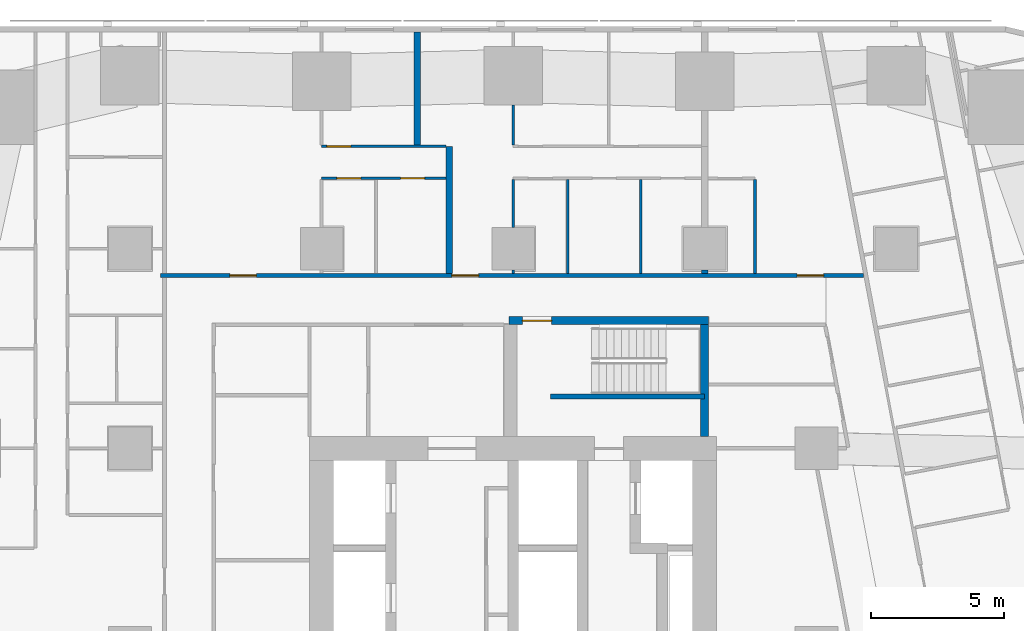
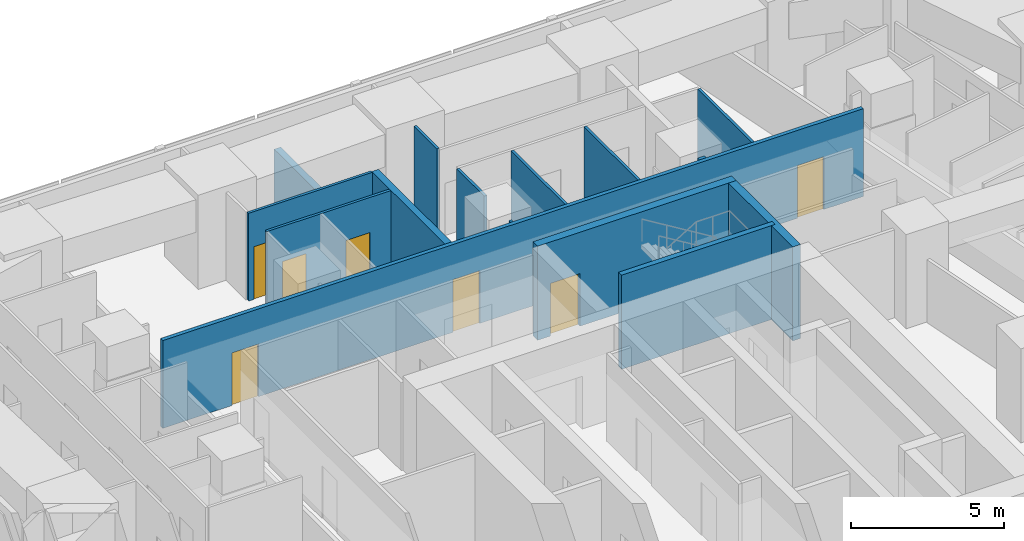
# One storey, part 10 of 17: 15 walls, 7 doors, 7 openings.
"""IFC4 building model written with IfcOpenShell, lengths in metres."""

from ifc_helpers import new_model, si_unit, direction, frame, frame_2d, origin, place, context, subcontext, project, spatial, rectangle, extrude, material, layer, layer_set, type_object, element, fill, save


model = new_model("IFC4")

# Units and contexts
model_context = context("Model", 3, precision=1e-05, world=origin(), true_north=direction((0.0, 1.0)))
body_context = subcontext(model_context, "Body", "Model", "MODEL_VIEW")
ifc_project = project(units=[si_unit("LENGTHUNIT", "METRE"), si_unit("AREAUNIT", "SQUARE_METRE"), si_unit("VOLUMEUNIT", "CUBIC_METRE"), si_unit("PLANEANGLEUNIT", "RADIAN"), si_unit("MASSUNIT", "GRAM", prefix="KILO")], contexts=[model_context])

# Site, building, storey
site_placement = place(None, origin())
site = spatial("IfcSite", under=ifc_project, at=site_placement, CompositionType="ELEMENT")
building_placement = place(site_placement, origin())
building = spatial("IfcBuilding", under=site, at=building_placement, Name="Sheger Commons Tower", CompositionType="ELEMENT")
storey_placement = place(building_placement, frame((0.0, 0.0, 115.39990234375)))
storey = spatial("IfcBuildingStorey", under=building, at=storey_placement, Name="L29", CompositionType="ELEMENT", Elevation=115.39990234375)

# Wall, openings, doors
ifc_material_1 = material(Name="Hollow concrete block masonry, skimmed both sides", Category="masonry")
ifc_layer_1 = layer(ifc_material_1, 0.14990234375)
ifc_layer_set_1 = layer_set([ifc_layer_1], Name="CORRIDOR WALL 150")
wall_type_1 = type_object("IfcWallType", Name="CORRIDOR WALL 150", PredefinedType="SOLIDWALL", material=ifc_layer_set_1)
wall_1_placement = place(storey_placement, frame((8.35009765625, 36.5, 0.0), z_axis=(0.0, 0.0, 1.0), x_axis=(1.0, 0.0, 0.0)))
wall_1 = element("IfcWall", 1, at=wall_1_placement, inside=storey, type_object=wall_type_1, Name="Corridor wall L29", PredefinedType="SOLIDWALL", context=body_context, shape_type="SweptSolid", body=[
    extrude(rectangle(XDim=26.414794921875, YDim=0.14990234375, at=frame_2d((13.20751953125, 0.0))), origin(), (0.0, 0.0, 1.0), 3.5),
])
opening_1_placement = place(wall_1_placement, frame((2.60009765625, 0.0, 0.0)))
opening_1 = element("IfcOpeningElement", 2, at=opening_1_placement, cuts=wall_1, Name="Opening D1", PredefinedType="OPENING", context=body_context, shape_type="SweptSolid", body=[
    extrude(rectangle(XDim=1.0, YDim=2.10009765625, at=frame_2d((0.5, 1.050048828125))), frame((0.0, 0.0849609375, 0.0), z_axis=(0.0, -1.0, 0.0), x_axis=(1.0, 0.0, 0.0)), (0.0, 0.0, 1.0), 0.169921875),
])
opening_2_placement = place(wall_1_placement, frame((10.948974609375, 0.0, 0.0)))
opening_2 = element("IfcOpeningElement", 3, at=opening_2_placement, cuts=wall_1, Name="Opening D1", PredefinedType="OPENING", context=body_context, shape_type="SweptSolid", body=[
    extrude(rectangle(XDim=1.0, YDim=2.10009765625, at=frame_2d((0.5, 1.050048828125))), frame((0.0, 0.0849609375, 0.0), z_axis=(0.0, -1.0, 0.0), x_axis=(1.0, 0.0, 0.0)), (0.0, 0.0, 1.0), 0.169921875),
])
opening_3_placement = place(wall_1_placement, frame((23.923095703125, 0.0, 0.0)))
opening_3 = element("IfcOpeningElement", 4, at=opening_3_placement, cuts=wall_1, Name="Opening D1", PredefinedType="OPENING", context=body_context, shape_type="SweptSolid", body=[
    extrude(rectangle(XDim=1.0, YDim=2.10009765625, at=frame_2d((0.5, 1.050048828125))), frame((0.0, 0.0849609375, 0.0), z_axis=(0.0, -1.0, 0.0), x_axis=(1.0, 0.0, 0.0)), (0.0, 0.0, 1.0), 0.169921875),
])
ifc_material_2 = material(Name="Steel door set, fire rated", Category="steel")
door_type_1 = type_object("IfcDoorType", Name="FLAT ENTRANCE DOOR 1000x2100", OperationType="NOTDEFINED", PredefinedType="DOOR", material=ifc_material_2)
door_1_placement = place(opening_1_placement, origin())
door_1 = element("IfcDoor", 5, at=door_1_placement, inside=storey, type_object=door_type_1, Name="Flat entrance door", OperationType="SINGLE_SWING_LEFT", OverallHeight=2.10009765625, OverallWidth=1.0, PredefinedType="DOOR", context=body_context, shape_type="SweptSolid", body=[
    extrude(rectangle(XDim=1.0, YDim=2.10009765625, at=frame_2d((0.5, 1.050048828125))), frame((0.0, 0.02490234375, 0.0), z_axis=(0.0, -1.0, 0.0), x_axis=(1.0, 0.0, 0.0)), (0.0, 0.0, 1.0), 0.050048828125),
])
fill(opening_1, door_1)
door_2_placement = place(opening_2_placement, origin())
door_2 = element("IfcDoor", 6, at=door_2_placement, inside=storey, type_object=door_type_1, Name="Flat entrance door", OperationType="SINGLE_SWING_LEFT", OverallHeight=2.10009765625, OverallWidth=1.0, PredefinedType="DOOR", context=body_context, shape_type="SweptSolid", body=[
    extrude(rectangle(XDim=1.0, YDim=2.10009765625, at=frame_2d((0.5, 1.050048828125))), frame((0.0, 0.02490234375, 0.0), z_axis=(0.0, -1.0, 0.0), x_axis=(1.0, 0.0, 0.0)), (0.0, 0.0, 1.0), 0.050048828125),
])
fill(opening_2, door_2)
door_3_placement = place(opening_3_placement, origin())
door_3 = element("IfcDoor", 7, at=door_3_placement, inside=storey, type_object=door_type_1, Name="Flat entrance door", OperationType="SINGLE_SWING_RIGHT", OverallHeight=2.10009765625, OverallWidth=1.0, PredefinedType="DOOR", context=body_context, shape_type="SweptSolid", body=[
    extrude(rectangle(XDim=1.0, YDim=2.10009765625, at=frame_2d((0.5, 1.050048828125))), frame((0.0, 0.02490234375, 0.0), z_axis=(0.0, -1.0, 0.0), x_axis=(1.0, 0.0, 0.0)), (0.0, 0.0, 1.0), 0.050048828125),
])
fill(opening_3, door_3)

# Walls
ifc_material_3 = material(Name="Dense concrete block masonry, plastered both sides (separating wall between flats)", Category="masonry")
ifc_layer_2 = layer(ifc_material_3, 0.25)
ifc_layer_set_2 = layer_set([ifc_layer_2], Name="DEMISING WALL 250")
wall_type_2 = type_object("IfcWallType", Name="DEMISING WALL 250", PredefinedType="SOLIDWALL", material=ifc_layer_set_2)
wall_2_placement = place(storey_placement, frame((18.0, 41.39990234375, 0.0), z_axis=(0.0, 0.0, 1.0), x_axis=(0.0, 1.0, 0.0)))
element("IfcWall", 8, at=wall_2_placement, inside=storey, type_object=wall_type_2, Name="Demising wall L29", PredefinedType="SOLIDWALL", context=body_context, shape_type="SweptSolid", body=[
    extrude(rectangle(XDim=4.25, YDim=0.25, at=frame_2d((2.125, 0.0))), origin(), (0.0, 0.0, 1.0), 2.2001953125),
])
wall_3_placement = place(storey_placement, frame((19.198974609375, 36.574951171875, 0.0), z_axis=(0.0, 0.0, 1.0), x_axis=(0.0, 1.0, 0.0)))
element("IfcWall", 9, at=wall_3_placement, inside=storey, type_object=wall_type_2, Name="Demising wall L29", PredefinedType="SOLIDWALL", context=body_context, shape_type="SweptSolid", body=[
    extrude(rectangle(XDim=4.775146484375, YDim=0.25, at=frame_2d((2.3876953125, 0.0))), origin(), (0.0, 0.0, 1.0), 3.5),
])
wall_4_placement = place(storey_placement, frame((28.800048828125, 36.574951171875, 0.0), z_axis=(0.0, 0.0, 1.0), x_axis=(0.0, 1.0, 0.0)))
element("IfcWall", 10, at=wall_4_placement, inside=storey, type_object=wall_type_2, Name="Demising wall L29", PredefinedType="SOLIDWALL", context=body_context, shape_type="SweptSolid", body=[
    extrude(rectangle(XDim=0.1240234375, YDim=0.25, at=frame_2d((0.06201171875, 0.0))), origin(), (0.0, 0.0, 1.0), 3.5),
])

# Wall, opening, door
ifc_material_4 = material(Name="Gypsum board on steel studs", Category="steel")
ifc_layer_3 = layer(ifc_material_4, 0.10009765625)
ifc_layer_set_3 = layer_set([ifc_layer_3], Name="PARTITION 100")
wall_type_3 = type_object("IfcWallType", Name="PARTITION 100", PredefinedType="PARTITIONING", material=ifc_layer_set_3)
wall_5_placement = place(storey_placement, frame((14.39990234375, 41.35009765625, 0.0), z_axis=(0.0, 0.0, 1.0), x_axis=(1.0, 0.0, 0.0)))
wall_5 = element("IfcWall", 11, at=wall_5_placement, inside=storey, type_object=wall_type_3, Name="Partition L29", PredefinedType="PARTITIONING", context=body_context, shape_type="SweptSolid", body=[
    extrude(rectangle(XDim=4.674072265625, YDim=0.10009765625, at=frame_2d((2.3369140625, 0.0))), origin(), (0.0, 0.0, 1.0), 3.5),
])
opening_4_placement = place(wall_5_placement, frame((0.199951171875, 0.0, 0.0)))
opening_4 = element("IfcOpeningElement", 12, at=opening_4_placement, cuts=wall_5, Name="Opening D2", PredefinedType="OPENING", context=body_context, shape_type="SweptSolid", body=[
    extrude(rectangle(XDim=0.89990234375, YDim=2.10009765625, at=frame_2d((0.449951171875, 1.050048828125))), frame((0.0, 0.06005859375, 0.0), z_axis=(0.0, -1.0, 0.0), x_axis=(1.0, 0.0, 0.0)), (0.0, 0.0, 1.0), 0.1201171875),
])
ifc_material_5 = material(Name="Timber door set", Category="wood")
door_type_2 = type_object("IfcDoorType", Name="INTERNAL DOOR 900x2100", OperationType="NOTDEFINED", PredefinedType="DOOR", material=ifc_material_5)
door_4_placement = place(opening_4_placement, origin())
door_4 = element("IfcDoor", 13, at=door_4_placement, inside=storey, type_object=door_type_2, Name="Main bedroom door", OperationType="SINGLE_SWING_LEFT", OverallHeight=2.10009765625, OverallWidth=0.89990234375, PredefinedType="DOOR", context=body_context, shape_type="SweptSolid", body=[
    extrude(rectangle(XDim=0.89990234375, YDim=2.10009765625, at=frame_2d((0.449951171875, 1.050048828125))), frame((0.0, 0.02490234375, 0.0), z_axis=(0.0, -1.0, 0.0), x_axis=(1.0, 0.0, 0.0)), (0.0, 0.0, 1.0), 0.050048828125),
])
fill(opening_4, door_4)

# Wall, openings, doors
wall_6_placement = place(storey_placement, frame((14.39990234375, 40.14990234375, 0.0), z_axis=(0.0, 0.0, 1.0), x_axis=(1.0, 0.0, 0.0)))
wall_6 = element("IfcWall", 14, at=wall_6_placement, inside=storey, type_object=wall_type_3, Name="Partition L29", PredefinedType="PARTITIONING", context=body_context, shape_type="SweptSolid", body=[
    extrude(rectangle(XDim=4.674072265625, YDim=0.10009765625, at=frame_2d((2.3369140625, 0.0))), origin(), (0.0, 0.0, 1.0), 3.5),
])
opening_5_placement = place(wall_6_placement, frame((0.574951171875, 0.0, 0.0)))
opening_5 = element("IfcOpeningElement", 15, at=opening_5_placement, cuts=wall_6, Name="Opening D2", PredefinedType="OPENING", context=body_context, shape_type="SweptSolid", body=[
    extrude(rectangle(XDim=0.89990234375, YDim=2.10009765625, at=frame_2d((0.449951171875, 1.050048828125))), frame((0.0, 0.06005859375, 0.0), z_axis=(0.0, -1.0, 0.0), x_axis=(1.0, 0.0, 0.0)), (0.0, 0.0, 1.0), 0.1201171875),
])
opening_6_placement = place(wall_6_placement, frame((2.97509765625, 0.0, 0.0)))
opening_6 = element("IfcOpeningElement", 16, at=opening_6_placement, cuts=wall_6, Name="Opening D2", PredefinedType="OPENING", context=body_context, shape_type="SweptSolid", body=[
    extrude(rectangle(XDim=0.89990234375, YDim=2.10009765625, at=frame_2d((0.449951171875, 1.050048828125))), frame((0.0, 0.06005859375, 0.0), z_axis=(0.0, -1.0, 0.0), x_axis=(1.0, 0.0, 0.0)), (0.0, 0.0, 1.0), 0.1201171875),
])
door_5_placement = place(opening_5_placement, origin())
door_5 = element("IfcDoor", 17, at=door_5_placement, inside=storey, type_object=door_type_2, Name="Bathroom door", OperationType="SINGLE_SWING_RIGHT", OverallHeight=2.10009765625, OverallWidth=0.89990234375, PredefinedType="DOOR", context=body_context, shape_type="SweptSolid", body=[
    extrude(rectangle(XDim=0.89990234375, YDim=2.10009765625, at=frame_2d((0.449951171875, 1.050048828125))), frame((0.0, 0.02490234375, 0.0), z_axis=(0.0, -1.0, 0.0), x_axis=(1.0, 0.0, 0.0)), (0.0, 0.0, 1.0), 0.050048828125),
])
fill(opening_5, door_5)
door_6_placement = place(opening_6_placement, origin())
door_6 = element("IfcDoor", 18, at=door_6_placement, inside=storey, type_object=door_type_2, Name="Store door", OperationType="SINGLE_SWING_LEFT", OverallHeight=2.10009765625, OverallWidth=0.89990234375, PredefinedType="DOOR", context=body_context, shape_type="SweptSolid", body=[
    extrude(rectangle(XDim=0.89990234375, YDim=2.10009765625, at=frame_2d((0.449951171875, 1.050048828125))), frame((0.0, 0.02490234375, 0.0), z_axis=(0.0, -1.0, 0.0), x_axis=(1.0, 0.0, 0.0)), (0.0, 0.0, 1.0), 0.050048828125),
])
fill(opening_6, door_6)

# Walls
wall_7_placement = place(storey_placement, frame((21.60009765625, 41.39990234375, 0.0), z_axis=(0.0, 0.0, 1.0), x_axis=(0.0, 1.0, 0.0)))
element("IfcWall", 19, at=wall_7_placement, inside=storey, type_object=wall_type_3, Name="Partition L29", PredefinedType="PARTITIONING", context=body_context, shape_type="SweptSolid", body=[
    extrude(rectangle(XDim=1.4990234375, YDim=0.10009765625, at=frame_2d((0.74951171875, 0.0))), origin(), (0.0, 0.0, 1.0), 3.5),
])
wall_8_placement = place(storey_placement, frame((21.60009765625, 36.574951171875, 0.0), z_axis=(0.0, 0.0, 1.0), x_axis=(0.0, 1.0, 0.0)))
element("IfcWall", 20, at=wall_8_placement, inside=storey, type_object=wall_type_3, Name="Partition L29", PredefinedType="PARTITIONING", context=body_context, shape_type="SweptSolid", body=[
    extrude(rectangle(XDim=0.1240234375, YDim=0.10009765625, at=frame_2d((0.06201171875, 0.0))), origin(), (0.0, 0.0, 1.0), 3.5),
])
wall_9_placement = place(storey_placement, frame((21.60009765625, 38.301025390625, 0.0), z_axis=(0.0, 0.0, 1.0), x_axis=(0.0, 1.0, 0.0)))
element("IfcWall", 21, at=wall_9_placement, inside=storey, type_object=wall_type_3, Name="Partition L29", PredefinedType="PARTITIONING", context=body_context, shape_type="SweptSolid", body=[
    extrude(rectangle(XDim=1.799072265625, YDim=0.10009765625, at=frame_2d((0.8994140625, 0.0))), origin(), (0.0, 0.0, 1.0), 3.5),
])
for number, where, z_axis, x_axis, name in (
    (22, (26.39892578125, 36.574951171875, 0.0), (0.0, 0.0, 1.0), (0.0, 1.0, 0.0), "Partition L29"),
    (23, (23.64990234375, 36.574951171875, 0.0), (0.0, 0.0, 1.0), (0.0, 1.0, 0.0), "Partition L29"),
    (24, (30.68994140625, 36.574951171875, 0.0), (0.0, 0.0, 1.0), (0.0, 1.0, 0.0), "Partition L29"),
):
    element("IfcWall", number, at=place(storey_placement, frame(where, z_axis=z_axis, x_axis=x_axis)), inside=storey, type_object=wall_type_3, Name=name, PredefinedType="PARTITIONING", context=body_context, shape_type="SweptSolid", body=[
        extrude(rectangle(XDim=3.525146484375, YDim=0.10009765625, at=frame_2d((1.7626953125, 0.0))), origin(), (0.0, 0.0, 1.0), 3.5),
    ])

# Wall, opening, door
ifc_material_6 = material(Name="Concrete C50/60", Category="concrete")
ifc_layer_4 = layer(ifc_material_6, 0.300048828125)
ifc_layer_set_4 = layer_set([ifc_layer_4], Name="STAIR CORE WALL 300")
wall_type_4 = type_object("IfcWallType", Name="STAIR CORE WALL 300", PredefinedType="SHEAR", material=ifc_layer_set_4)
wall_10_placement = place(storey_placement, frame((21.449951171875, 34.800048828125, 0.0), z_axis=(0.0, 0.0, 1.0), x_axis=(1.0, 0.0, 0.0)))
wall_10 = element("IfcWall", 25, at=wall_10_placement, inside=storey, type_object=wall_type_4, Name="STW-L29-S2N", PredefinedType="SHEAR", context=body_context, shape_type="SweptSolid", body=[
    extrude(rectangle(XDim=7.5, YDim=0.300048828125, at=frame_2d((3.75, 0.0))), origin(), (0.0, 0.0, 1.0), 3.75),
])
opening_7_placement = place(wall_10_placement, frame((0.5, 0.0, 0.0)))
opening_7 = element("IfcOpeningElement", 26, at=opening_7_placement, cuts=wall_10, Name="Opening D5", PredefinedType="OPENING", context=body_context, shape_type="SweptSolid", body=[
    extrude(rectangle(XDim=1.10009765625, YDim=2.10009765625, at=frame_2d((0.550048828125, 1.050048828125))), frame((0.0, 0.159912109375, 0.0), z_axis=(0.0, -1.0, 0.0), x_axis=(1.0, 0.0, 0.0)), (0.0, 0.0, 1.0), 0.320068359375),
])
ifc_material_7 = material(Name="Steel door set, fire rated", Category="steel")
door_type_3 = type_object("IfcDoorType", Name="STAIR DOOR 1100x2100", OperationType="NOTDEFINED", PredefinedType="DOOR", material=ifc_material_7)
door_7_placement = place(opening_7_placement, origin())
door_7 = element("IfcDoor", 27, at=door_7_placement, inside=storey, type_object=door_type_3, Name="Stair S2 door", OperationType="SINGLE_SWING_RIGHT", OverallHeight=2.10009765625, OverallWidth=1.10009765625, PredefinedType="DOOR", context=body_context, shape_type="SweptSolid", body=[
    extrude(rectangle(XDim=1.10009765625, YDim=2.10009765625, at=frame_2d((0.550048828125, 1.050048828125))), frame((0.0, 0.02490234375, 0.0), z_axis=(0.0, -1.0, 0.0), x_axis=(1.0, 0.0, 0.0)), (0.0, 0.0, 1.0), 0.050048828125),
])
fill(opening_7, door_7)

# Walls
wall_11_placement = place(storey_placement, frame((28.800048828125, 30.449951171875, 0.0), z_axis=(0.0, 0.0, 1.0), x_axis=(0.0, 1.0, 0.0)))
element("IfcWall", 28, at=wall_11_placement, inside=storey, type_object=wall_type_4, Name="STW-L29-S2E", PredefinedType="SHEAR", context=body_context, shape_type="SweptSolid", body=[
    extrude(rectangle(XDim=4.199951171875, YDim=0.300048828125, at=frame_2d((2.10009765625, 0.0))), origin(), (0.0, 0.0, 1.0), 3.75),
])
ifc_material_8 = material(Name="Concrete C50/60", Category="concrete")
ifc_layer_5 = layer(ifc_material_8, 0.199951171875)
ifc_layer_set_5 = layer_set([ifc_layer_5], Name="STAIR SPINE WALL 200")
wall_type_5 = type_object("IfcWallType", Name="STAIR SPINE WALL 200", PredefinedType="SHEAR", material=ifc_layer_set_5)
wall_12_placement = place(storey_placement, frame((23.0, 31.949951171875, 0.0), z_axis=(0.0, 0.0, 1.0), x_axis=(1.0, 0.0, 0.0)))
element("IfcWall", 29, at=wall_12_placement, inside=storey, type_object=wall_type_5, Name="Stair spine wall L29", PredefinedType="SHEAR", context=body_context, shape_type="SweptSolid", body=[
    extrude(rectangle(XDim=5.800048828125, YDim=0.199951171875, at=frame_2d((2.89990234375, 0.0))), origin(), (0.0, 0.0, 1.0), 3.75),
])

save(model, "model.ifc")
